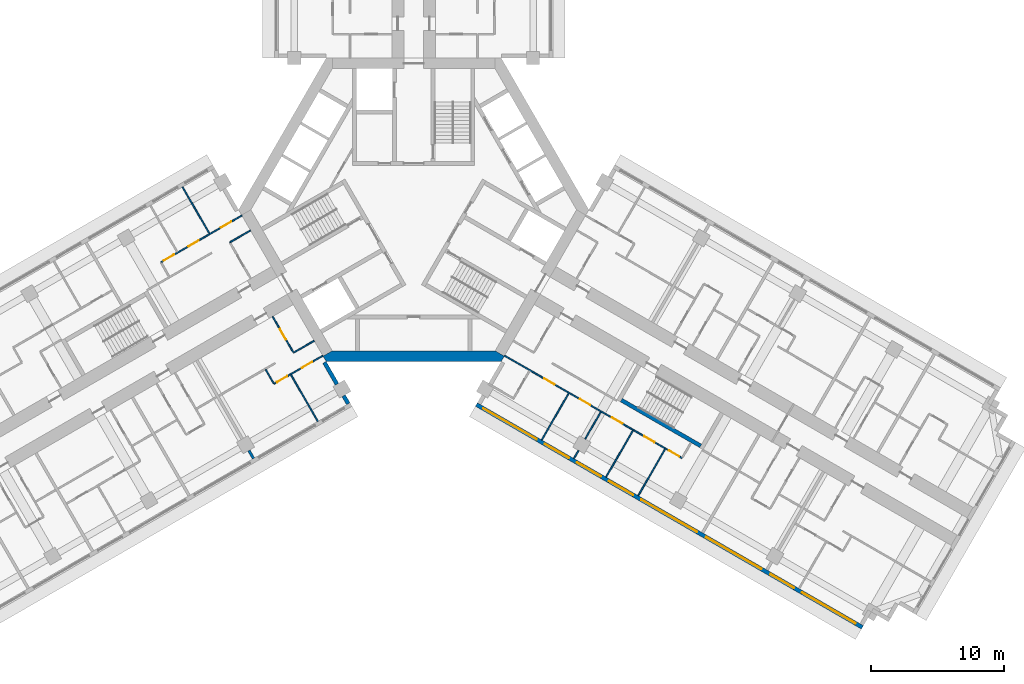
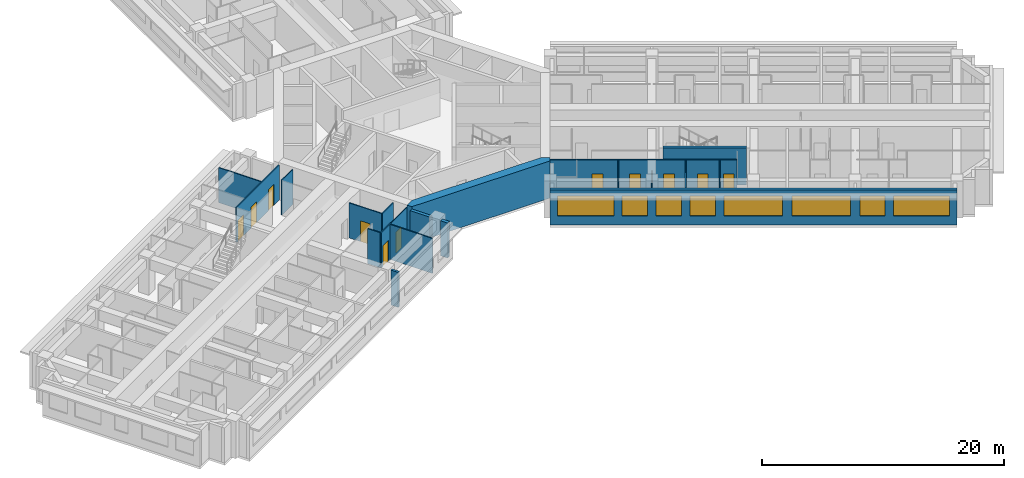
# One storey, part 6 of 15: 20 walls, 11 doors, 8 windows, 19 openings.
"""IFC4 building model written with IfcOpenShell, lengths in metres."""

from ifc_helpers import new_model, si_unit, direction, frame, frame_2d, origin, place, context, subcontext, project, spatial, polyline, rectangle, outline, extrude, material, layer, layer_set, type_object, element, fill, save


model = new_model("IFC4")

# Units and contexts
model_context = context("Model", 3, precision=1e-05, world=origin(), true_north=direction((0.0, 1.0)))
body_context = subcontext(model_context, "Body", "Model", "MODEL_VIEW")
ifc_project = project(units=[si_unit("LENGTHUNIT", "METRE"), si_unit("AREAUNIT", "SQUARE_METRE"), si_unit("VOLUMEUNIT", "CUBIC_METRE"), si_unit("PLANEANGLEUNIT", "RADIAN"), si_unit("MASSUNIT", "GRAM", prefix="KILO")], contexts=[model_context])

# Site, building, storey
site_placement = place(None, origin())
site = spatial("IfcSite", under=ifc_project, at=site_placement, CompositionType="ELEMENT")
building_placement = place(site_placement, origin())
building = spatial("IfcBuilding", under=site, at=building_placement, Name="Impinga Residences", CompositionType="ELEMENT")
storey_placement = place(building_placement, frame((0.0, 0.0, 113.5)))
storey = spatial("IfcBuildingStorey", under=building, at=storey_placement, Name="L27", CompositionType="ELEMENT", Elevation=113.5)

# Wall, openings, windows
ifc_material_1 = material(Name="Terracotta rainscreen on blockwork", Category="masonry")
ifc_layer_1 = layer(ifc_material_1, 0.300048828125)
ifc_layer_set_1 = layer_set([ifc_layer_1], Name="EW1 external wall, terracotta rainscreen on blockwork 300")
wall_type_1 = type_object("IfcWallType", Name="EW1 external wall, terracotta rainscreen on blockwork 300", PredefinedType="SOLIDWALL", material=ifc_layer_set_1)
wall_1_placement = place(storey_placement, frame((33.823486328125, -31.479248046875, 0.0), z_axis=(0.0, 0.0, 1.0), x_axis=(-0.866024291668, 0.500001926238, 0.0)))
wall_1 = element("IfcWall", 1, at=wall_1_placement, inside=storey, type_object=wall_type_1, Name="External wall EW1 L27", PredefinedType="SOLIDWALL", context=body_context, shape_type="SweptSolid", body=[
    extrude(rectangle(XDim=33.599853515625, YDim=0.300048828125, at=frame_2d((16.7998046875, 0.0))), origin(), (0.0, 0.0, 1.0), 3.530029296875),
])
opening_1_placement = place(wall_1_placement, frame((0.60009765625, 0.0, 0.89990234375)))
opening_1 = element("IfcOpeningElement", 2, at=opening_1_placement, cuts=wall_1, Name="Opening W10", PredefinedType="OPENING", context=body_context, shape_type="SweptSolid", body=[
    extrude(rectangle(XDim=4.64990234375, YDim=2.050048828125, at=frame_2d((2.324951171875, 1.02490234375))), frame((0.0, 0.159912109375, 0.0), z_axis=(0.0, -1.0, 0.0), x_axis=(1.0, 0.0, 0.0)), (0.0, 0.0, 1.0), 0.320068359375),
])
opening_2_placement = place(wall_1_placement, frame((5.949951171875, 0.0, 0.89990234375)))
opening_2 = element("IfcOpeningElement", 3, at=opening_2_placement, cuts=wall_1, Name="Opening W14", PredefinedType="OPENING", context=body_context, shape_type="SweptSolid", body=[
    extrude(rectangle(XDim=2.050048828125, YDim=2.050048828125, at=frame_2d((1.02490234375, 1.02490234375))), frame((0.0, 0.159912109375, 0.0), z_axis=(0.0, -1.0, 0.0), x_axis=(1.0, 0.0, 0.0)), (0.0, 0.0, 1.0), 0.320068359375),
])
opening_3_placement = place(wall_1_placement, frame((8.800048828125, 0.0, 0.89990234375)))
opening_3 = element("IfcOpeningElement", 4, at=opening_3_placement, cuts=wall_1, Name="Opening W8", PredefinedType="OPENING", context=body_context, shape_type="SweptSolid", body=[
    extrude(rectangle(XDim=4.800048828125, YDim=2.050048828125, at=frame_2d((2.39990234375, 1.02490234375))), frame((0.0, 0.159912109375, 0.0), z_axis=(0.0, -1.0, 0.0), x_axis=(1.0, 0.0, 0.0)), (0.0, 0.0, 1.0), 0.320068359375),
])
opening_4_placement = place(wall_1_placement, frame((14.39990234375, 0.0, 0.89990234375)))
opening_4 = element("IfcOpeningElement", 5, at=opening_4_placement, cuts=wall_1, Name="Opening W6", PredefinedType="OPENING", context=body_context, shape_type="SweptSolid", body=[
    extrude(rectangle(XDim=4.85009765625, YDim=2.050048828125, at=frame_2d((2.425048828125, 1.02490234375))), frame((0.0, 0.159912109375, 0.0), z_axis=(0.0, -1.0, 0.0), x_axis=(1.0, 0.0, 0.0)), (0.0, 0.0, 1.0), 0.320068359375),
])
opening_5_placement = place(wall_1_placement, frame((19.949951171875, 0.0, 0.89990234375)))
opening_5 = element("IfcOpeningElement", 6, at=opening_5_placement, cuts=wall_1, Name="Opening W9", PredefinedType="OPENING", context=body_context, shape_type="SweptSolid", body=[
    extrude(rectangle(XDim=2.10009765625, YDim=2.050048828125, at=frame_2d((1.050048828125, 1.02490234375))), frame((0.0, 0.159912109375, 0.0), z_axis=(0.0, -1.0, 0.0), x_axis=(1.0, 0.0, 0.0)), (0.0, 0.0, 1.0), 0.320068359375),
])
opening_6_placement = place(wall_1_placement, frame((22.75, 0.0, 0.89990234375)))
opening_6 = element("IfcOpeningElement", 7, at=opening_6_placement, cuts=wall_1, Name="Opening W9", PredefinedType="OPENING", context=body_context, shape_type="SweptSolid", body=[
    extrude(rectangle(XDim=2.10009765625, YDim=2.050048828125, at=frame_2d((1.050048828125, 1.02490234375))), frame((0.0, 0.159912109375, 0.0), z_axis=(0.0, -1.0, 0.0), x_axis=(1.0, 0.0, 0.0)), (0.0, 0.0, 1.0), 0.320068359375),
])
opening_7_placement = place(wall_1_placement, frame((25.550048828125, 0.0, 0.89990234375)))
opening_7 = element("IfcOpeningElement", 8, at=opening_7_placement, cuts=wall_1, Name="Opening W9", PredefinedType="OPENING", context=body_context, shape_type="SweptSolid", body=[
    extrude(rectangle(XDim=2.10009765625, YDim=2.050048828125, at=frame_2d((1.050048828125, 1.02490234375))), frame((0.0, 0.159912109375, 0.0), z_axis=(0.0, -1.0, 0.0), x_axis=(1.0, 0.0, 0.0)), (0.0, 0.0, 1.0), 0.320068359375),
])
opening_8_placement = place(wall_1_placement, frame((28.35009765625, 0.0, 0.89990234375)))
opening_8 = element("IfcOpeningElement", 9, at=opening_8_placement, cuts=wall_1, Name="Opening W10", PredefinedType="OPENING", context=body_context, shape_type="SweptSolid", body=[
    extrude(rectangle(XDim=4.64990234375, YDim=2.050048828125, at=frame_2d((2.324951171875, 1.02490234375))), frame((0.0, 0.159912109375, 0.0), z_axis=(0.0, -1.0, 0.0), x_axis=(1.0, 0.0, 0.0)), (0.0, 0.0, 1.0), 0.320068359375),
])
ifc_material_2 = material(Name="Aluminium window, clear double glazing", Category="aluminium")
window_type_1 = type_object("IfcWindowType", Name="W10 ribbon window 4650x2050", PartitioningType="SINGLE_PANEL", PredefinedType="WINDOW", material=ifc_material_2)
window_1_placement = place(opening_1_placement, origin())
window_1 = element("IfcWindow", 10, at=window_1_placement, inside=storey, type_object=window_type_1, Name="Window L27", OverallHeight=2.050048828125, OverallWidth=4.64990234375, PartitioningType="SINGLE_PANEL", PredefinedType="WINDOW", context=body_context, shape_type="SweptSolid", body=[
    extrude(rectangle(XDim=4.64990234375, YDim=2.050048828125, at=frame_2d((2.324951171875, 1.02490234375))), frame((0.0, 0.030029296875, 0.0), z_axis=(0.0, -1.0, 0.0), x_axis=(1.0, 0.0, 0.0)), (0.0, 0.0, 1.0), 0.06005859375),
])
fill(opening_1, window_1)
window_2_placement = place(opening_8_placement, origin())
window_2 = element("IfcWindow", 11, at=window_2_placement, inside=storey, type_object=window_type_1, Name="Window L27", OverallHeight=2.050048828125, OverallWidth=4.64990234375, PartitioningType="SINGLE_PANEL", PredefinedType="WINDOW", context=body_context, shape_type="SweptSolid", body=[
    extrude(rectangle(XDim=4.64990234375, YDim=2.050048828125, at=frame_2d((2.324951171875, 1.02490234375))), frame((0.0, 0.030029296875, 0.0), z_axis=(0.0, -1.0, 0.0), x_axis=(1.0, 0.0, 0.0)), (0.0, 0.0, 1.0), 0.06005859375),
])
fill(opening_8, window_2)
window_type_2 = type_object("IfcWindowType", Name="W14 ribbon window 2050x2050", PartitioningType="SINGLE_PANEL", PredefinedType="WINDOW", material=ifc_material_2)
window_3_placement = place(opening_2_placement, origin())
window_3 = element("IfcWindow", 12, at=window_3_placement, inside=storey, type_object=window_type_2, Name="Window L27", OverallHeight=2.050048828125, OverallWidth=2.050048828125, PartitioningType="SINGLE_PANEL", PredefinedType="WINDOW", context=body_context, shape_type="SweptSolid", body=[
    extrude(rectangle(XDim=2.050048828125, YDim=2.050048828125, at=frame_2d((1.02490234375, 1.02490234375))), frame((0.0, 0.030029296875, 0.0), z_axis=(0.0, -1.0, 0.0), x_axis=(1.0, 0.0, 0.0)), (0.0, 0.0, 1.0), 0.06005859375),
])
fill(opening_2, window_3)
window_type_3 = type_object("IfcWindowType", Name="W6 ribbon window 4850x2050", PartitioningType="SINGLE_PANEL", PredefinedType="WINDOW", material=ifc_material_2)
window_4_placement = place(opening_4_placement, origin())
window_4 = element("IfcWindow", 13, at=window_4_placement, inside=storey, type_object=window_type_3, Name="Window L27", OverallHeight=2.050048828125, OverallWidth=4.85009765625, PartitioningType="SINGLE_PANEL", PredefinedType="WINDOW", context=body_context, shape_type="SweptSolid", body=[
    extrude(rectangle(XDim=4.85009765625, YDim=2.050048828125, at=frame_2d((2.425048828125, 1.02490234375))), frame((0.0, 0.030029296875, 0.0), z_axis=(0.0, -1.0, 0.0), x_axis=(1.0, 0.0, 0.0)), (0.0, 0.0, 1.0), 0.06005859375),
])
fill(opening_4, window_4)
window_type_4 = type_object("IfcWindowType", Name="W8 ribbon window 4800x2050", PartitioningType="SINGLE_PANEL", PredefinedType="WINDOW", material=ifc_material_2)
window_5_placement = place(opening_3_placement, origin())
window_5 = element("IfcWindow", 14, at=window_5_placement, inside=storey, type_object=window_type_4, Name="Window L27", OverallHeight=2.050048828125, OverallWidth=4.800048828125, PartitioningType="SINGLE_PANEL", PredefinedType="WINDOW", context=body_context, shape_type="SweptSolid", body=[
    extrude(rectangle(XDim=4.800048828125, YDim=2.050048828125, at=frame_2d((2.39990234375, 1.02490234375))), frame((0.0, 0.030029296875, 0.0), z_axis=(0.0, -1.0, 0.0), x_axis=(1.0, 0.0, 0.0)), (0.0, 0.0, 1.0), 0.06005859375),
])
fill(opening_3, window_5)
window_type_5 = type_object("IfcWindowType", Name="W9 ribbon window 2100x2050", PartitioningType="SINGLE_PANEL", PredefinedType="WINDOW", material=ifc_material_2)
window_6_placement = place(opening_5_placement, origin())
window_6 = element("IfcWindow", 15, at=window_6_placement, inside=storey, type_object=window_type_5, Name="Window L27", OverallHeight=2.050048828125, OverallWidth=2.10009765625, PartitioningType="SINGLE_PANEL", PredefinedType="WINDOW", context=body_context, shape_type="SweptSolid", body=[
    extrude(rectangle(XDim=2.10009765625, YDim=2.050048828125, at=frame_2d((1.050048828125, 1.02490234375))), frame((0.0, 0.030029296875, 0.0), z_axis=(0.0, -1.0, 0.0), x_axis=(1.0, 0.0, 0.0)), (0.0, 0.0, 1.0), 0.06005859375),
])
fill(opening_5, window_6)
window_7_placement = place(opening_6_placement, origin())
window_7 = element("IfcWindow", 16, at=window_7_placement, inside=storey, type_object=window_type_5, Name="Window L27", OverallHeight=2.050048828125, OverallWidth=2.10009765625, PartitioningType="SINGLE_PANEL", PredefinedType="WINDOW", context=body_context, shape_type="SweptSolid", body=[
    extrude(rectangle(XDim=2.10009765625, YDim=2.050048828125, at=frame_2d((1.050048828125, 1.02490234375))), frame((0.0, 0.030029296875, 0.0), z_axis=(0.0, -1.0, 0.0), x_axis=(1.0, 0.0, 0.0)), (0.0, 0.0, 1.0), 0.06005859375),
])
fill(opening_6, window_7)
window_8_placement = place(opening_7_placement, origin())
window_8 = element("IfcWindow", 17, at=window_8_placement, inside=storey, type_object=window_type_5, Name="Window L27", OverallHeight=2.050048828125, OverallWidth=2.10009765625, PartitioningType="SINGLE_PANEL", PredefinedType="WINDOW", context=body_context, shape_type="SweptSolid", body=[
    extrude(rectangle(XDim=2.10009765625, YDim=2.050048828125, at=frame_2d((1.050048828125, 1.02490234375))), frame((0.0, 0.030029296875, 0.0), z_axis=(0.0, -1.0, 0.0), x_axis=(1.0, 0.0, 0.0)), (0.0, 0.0, 1.0), 0.06005859375),
])
fill(opening_7, window_8)

# Walls
wall_2_placement = place(storey_placement, frame((-6.72998046875, -11.506591796875, 0.0), z_axis=(0.0, 0.0, 1.0), x_axis=(0.500063520245, -0.865988727248, 0.0)))
element("IfcWall", 18, at=wall_2_placement, inside=storey, type_object=wall_type_1, Name="External wall EW1 L27", PredefinedType="SOLIDWALL", context=body_context, shape_type="SweptSolid", body=[
    extrude(rectangle(XDim=1.900146484375, YDim=0.300048828125, at=frame_2d((0.9501953125, 0.0))), origin(), (0.0, 0.0, 1.0), 3.530029296875),
])
wall_3_placement = place(storey_placement, frame((-5.27978515625, -14.01806640625, 0.0), z_axis=(0.0, 0.0, 1.0), x_axis=(0.499853302173, -0.866110083249, 0.0)))
element("IfcWall", 19, at=wall_3_placement, inside=storey, type_object=wall_type_1, Name="External wall EW1 L27", PredefinedType="SOLIDWALL", context=body_context, shape_type="SweptSolid", body=[
    extrude(rectangle(XDim=0.699951171875, YDim=0.300048828125, at=frame_2d((0.35009765625, 0.0))), origin(), (0.0, 0.0, 1.0), 3.530029296875),
])
ifc_material_3 = material(Name="Gypsum board on steel studs", Category="steel")
ifc_layer_2 = layer(ifc_material_3, 0.10009765625)
ifc_layer_set_2 = layer_set([ifc_layer_2], Name="Gypsum board on steel studs")
wall_type_2 = type_object("IfcWallType", Name="IP1 partition 100", PredefinedType="PARTITIONING", material=ifc_layer_set_2)
wall_4_placement = place(storey_placement, frame((-7.5, -9.872802734375, 0.0), z_axis=(0.0, 0.0, 1.0), x_axis=(-0.866047807691, -0.499961193289, 0.0)))
element("IfcWall", 20, at=wall_4_placement, inside=storey, type_object=wall_type_2, Name="Partition L27-WA1:DIV0", PredefinedType="PARTITIONING", context=body_context, shape_type="SweptSolid", body=[
    extrude(rectangle(XDim=1.800048828125, YDim=0.10009765625, at=frame_2d((0.89990234375, 0.0))), origin(), (0.0, 0.0, 1.0), 3.530029296875),
])

# Wall, openings, doors
wall_5_placement = place(storey_placement, frame((-6.85009765625, -10.99853515625, 0.0), z_axis=(0.0, 0.0, 1.0), x_axis=(-0.866014341725, -0.50001915956, 0.0)))
wall_5 = element("IfcWall", 21, at=wall_5_placement, inside=storey, type_object=wall_type_2, Name="Partition L27-WA1:STRIP", PredefinedType="PARTITIONING", context=body_context, shape_type="SweptSolid", body=[
    extrude(rectangle(XDim=4.249755859375, YDim=0.10009765625, at=frame_2d((2.125, 0.0))), origin(), (0.0, 0.0, 1.0), 3.530029296875),
])
opening_9_placement = place(wall_5_placement, frame((0.925048828125, 0.0, 0.0)))
opening_9 = element("IfcOpeningElement", 22, at=opening_9_placement, cuts=wall_5, Name="Opening D2", PredefinedType="OPENING", context=body_context, shape_type="SweptSolid", body=[
    extrude(rectangle(XDim=0.89990234375, YDim=2.10009765625, at=frame_2d((0.449951171875, 1.050048828125))), frame((0.0, 0.06005859375, 0.0), z_axis=(0.0, -1.0, 0.0), x_axis=(1.0, 0.0, 0.0)), (0.0, 0.0, 1.0), 0.1201171875),
])
opening_10_placement = place(wall_5_placement, frame((3.10009765625, 0.0, 0.0)))
opening_10 = element("IfcOpeningElement", 23, at=opening_10_placement, cuts=wall_5, Name="Opening D2", PredefinedType="OPENING", context=body_context, shape_type="SweptSolid", body=[
    extrude(rectangle(XDim=0.89990234375, YDim=2.10009765625, at=frame_2d((0.449951171875, 1.050048828125))), frame((0.0, 0.06005859375, 0.0), z_axis=(0.0, -1.0, 0.0), x_axis=(1.0, 0.0, 0.0)), (0.0, 0.0, 1.0), 0.1201171875),
])
ifc_material_4 = material(Name="Timber door set", Category="wood")
door_type = type_object("IfcDoorType", Name="D2 internal door 900x2100", OperationType="SINGLE_SWING_LEFT", PredefinedType="DOOR", material=ifc_material_4)
door_1_placement = place(opening_9_placement, origin())
door_1 = element("IfcDoor", 24, at=door_1_placement, inside=storey, type_object=door_type, Name="Apartment L27-WA1 room door", OperationType="SINGLE_SWING_LEFT", OverallHeight=2.10009765625, OverallWidth=0.89990234375, PredefinedType="DOOR", context=body_context, shape_type="SweptSolid", body=[
    extrude(rectangle(XDim=0.89990234375, YDim=2.10009765625, at=frame_2d((0.449951171875, 1.050048828125))), frame((0.0, 0.02490234375, 0.0), z_axis=(0.0, -1.0, 0.0), x_axis=(1.0, 0.0, 0.0)), (0.0, 0.0, 1.0), 0.050048828125),
])
fill(opening_9, door_1)
door_2_placement = place(opening_10_placement, origin())
door_2 = element("IfcDoor", 25, at=door_2_placement, inside=storey, type_object=door_type, Name="Apartment L27-WA1 room door", OperationType="SINGLE_SWING_RIGHT", OverallHeight=2.10009765625, OverallWidth=0.89990234375, PredefinedType="DOOR", context=body_context, shape_type="SweptSolid", body=[
    extrude(rectangle(XDim=0.89990234375, YDim=2.10009765625, at=frame_2d((0.449951171875, 1.050048828125))), frame((0.0, 0.02490234375, 0.0), z_axis=(0.0, -1.0, 0.0), x_axis=(1.0, 0.0, 0.0)), (0.0, 0.0, 1.0), 0.050048828125),
])
fill(opening_10, door_2)

# Wall
wall_6_placement = place(storey_placement, frame((-11.155517578125, -12.041015625, 0.0), z_axis=(0.0, 0.0, 1.0), x_axis=(0.499880961361, -0.866094119867, 0.0)))
element("IfcWall", 26, at=wall_6_placement, inside=storey, type_object=wall_type_2, Name="Partition L27-WA1:SE1", PredefinedType="PARTITIONING", context=body_context, shape_type="SweptSolid", body=[
    extrude(rectangle(XDim=1.199951171875, YDim=0.10009765625, at=frame_2d((0.60009765625, 0.0))), origin(), (0.0, 0.0, 1.0), 3.530029296875),
])

# Wall, opening, door
wall_7_placement = place(storey_placement, frame((-10.6337890625, -8.044677734375, 0.0), z_axis=(0.0, 0.0, 1.0), x_axis=(0.49999285859, -0.86602952684, 0.0)))
wall_7 = element("IfcWall", 27, at=wall_7_placement, inside=storey, type_object=wall_type_2, Name="Partition L27-WA1:IB1", PredefinedType="PARTITIONING", context=body_context, shape_type="SweptSolid", body=[
    extrude(rectangle(XDim=3.10009765625, YDim=0.10009765625, at=frame_2d((1.550048828125, 0.0))), origin(), (0.0, 0.0, 1.0), 3.530029296875),
])
opening_11_placement = place(wall_7_placement, frame((1.10009765625, 0.0, 0.0)))
opening_11 = element("IfcOpeningElement", 28, at=opening_11_placement, cuts=wall_7, Name="Opening D2", PredefinedType="OPENING", context=body_context, shape_type="SweptSolid", body=[
    extrude(rectangle(XDim=0.89990234375, YDim=2.10009765625, at=frame_2d((0.449951171875, 1.050048828125))), frame((0.0, 0.06005859375, 0.0), z_axis=(0.0, -1.0, 0.0), x_axis=(1.0, 0.0, 0.0)), (0.0, 0.0, 1.0), 0.1201171875),
])
door_3_placement = place(opening_11_placement, origin())
door_3 = element("IfcDoor", 29, at=door_3_placement, inside=storey, type_object=door_type, Name="Apartment L27-WA1 bathroom door", OperationType="SINGLE_SWING_LEFT", OverallHeight=2.10009765625, OverallWidth=0.89990234375, PredefinedType="DOOR", context=body_context, shape_type="SweptSolid", body=[
    extrude(rectangle(XDim=0.89990234375, YDim=2.10009765625, at=frame_2d((0.449951171875, 1.050048828125))), frame((0.0, 0.02490234375, 0.0), z_axis=(0.0, -1.0, 0.0), x_axis=(1.0, 0.0, 0.0)), (0.0, 0.0, 1.0), 0.050048828125),
])
fill(opening_11, door_3)

# Walls
wall_8_placement = place(storey_placement, frame((-9.249755859375, -12.44189453125, 0.0), z_axis=(0.0, 0.0, 1.0), x_axis=(0.499990325971, -0.866030989016, 0.0)))
element("IfcWall", 30, at=wall_8_placement, inside=storey, type_object=wall_type_2, Name="Partition L27-WA1:OB1", PredefinedType="PARTITIONING", context=body_context, shape_type="SweptSolid", body=[
    extrude(rectangle(XDim=4.0498046875, YDim=0.10009765625, at=frame_2d((2.02490234375, 0.0))), origin(), (0.0, 0.0, 1.0), 3.530029296875),
])
wall_9_placement = place(storey_placement, frame((-12.300048828125, -1.558837890625, 0.0), z_axis=(0.0, 0.0, 1.0), x_axis=(-0.866047807691, -0.499961193289, 0.0)))
element("IfcWall", 31, at=wall_9_placement, inside=storey, type_object=wall_type_2, Name="Partition L27-WF1:DIV0", PredefinedType="PARTITIONING", context=body_context, shape_type="SweptSolid", body=[
    extrude(rectangle(XDim=1.800048828125, YDim=0.10009765625, at=frame_2d((0.89990234375, 0.0))), origin(), (0.0, 0.0, 1.0), 3.530029296875),
])

# Wall, openings, doors
wall_10_placement = place(storey_placement, frame((-12.949951171875, -0.43310546875, 0.0), z_axis=(0.0, 0.0, 1.0), x_axis=(-0.866031034943, -0.499990246421, 0.0)))
wall_10 = element("IfcWall", 32, at=wall_10_placement, inside=storey, type_object=wall_type_2, Name="Partition L27-WF1:STRIP", PredefinedType="PARTITIONING", context=body_context, shape_type="SweptSolid", body=[
    extrude(rectangle(XDim=7.050048828125, YDim=0.10009765625, at=frame_2d((3.52490234375, 0.0))), origin(), (0.0, 0.0, 1.0), 3.530029296875),
])
opening_12_placement = place(wall_10_placement, frame((0.925048828125, 0.0, 0.0)))
opening_12 = element("IfcOpeningElement", 33, at=opening_12_placement, cuts=wall_10, Name="Opening D2", PredefinedType="OPENING", context=body_context, shape_type="SweptSolid", body=[
    extrude(rectangle(XDim=0.89990234375, YDim=2.10009765625, at=frame_2d((0.449951171875, 1.050048828125))), frame((0.0, 0.06005859375, 0.0), z_axis=(0.0, -1.0, 0.0), x_axis=(1.0, 0.0, 0.0)), (0.0, 0.0, 1.0), 0.1201171875),
])
opening_13_placement = place(wall_10_placement, frame((3.75, 0.0, 0.0)))
opening_13 = element("IfcOpeningElement", 34, at=opening_13_placement, cuts=wall_10, Name="Opening D2", PredefinedType="OPENING", context=body_context, shape_type="SweptSolid", body=[
    extrude(rectangle(XDim=0.89990234375, YDim=2.10009765625, at=frame_2d((0.449951171875, 1.050048828125))), frame((0.0, 0.06005859375, 0.0), z_axis=(0.0, -1.0, 0.0), x_axis=(1.0, 0.0, 0.0)), (0.0, 0.0, 1.0), 0.1201171875),
])
opening_14_placement = place(wall_10_placement, frame((5.89990234375, 0.0, 0.0)))
opening_14 = element("IfcOpeningElement", 35, at=opening_14_placement, cuts=wall_10, Name="Opening D2", PredefinedType="OPENING", context=body_context, shape_type="SweptSolid", body=[
    extrude(rectangle(XDim=0.89990234375, YDim=2.10009765625, at=frame_2d((0.449951171875, 1.050048828125))), frame((0.0, 0.06005859375, 0.0), z_axis=(0.0, -1.0, 0.0), x_axis=(1.0, 0.0, 0.0)), (0.0, 0.0, 1.0), 0.1201171875),
])
door_4_placement = place(opening_12_placement, origin())
door_4 = element("IfcDoor", 36, at=door_4_placement, inside=storey, type_object=door_type, Name="Apartment L27-WF1 room door", OperationType="SINGLE_SWING_LEFT", OverallHeight=2.10009765625, OverallWidth=0.89990234375, PredefinedType="DOOR", context=body_context, shape_type="SweptSolid", body=[
    extrude(rectangle(XDim=0.89990234375, YDim=2.10009765625, at=frame_2d((0.449951171875, 1.050048828125))), frame((0.0, 0.02490234375, 0.0), z_axis=(0.0, -1.0, 0.0), x_axis=(1.0, 0.0, 0.0)), (0.0, 0.0, 1.0), 0.050048828125),
])
fill(opening_12, door_4)
door_5_placement = place(opening_13_placement, origin())
door_5 = element("IfcDoor", 37, at=door_5_placement, inside=storey, type_object=door_type, Name="Apartment L27-WF1 room door", OperationType="SINGLE_SWING_RIGHT", OverallHeight=2.10009765625, OverallWidth=0.89990234375, PredefinedType="DOOR", context=body_context, shape_type="SweptSolid", body=[
    extrude(rectangle(XDim=0.89990234375, YDim=2.10009765625, at=frame_2d((0.449951171875, 1.050048828125))), frame((0.0, 0.02490234375, 0.0), z_axis=(0.0, -1.0, 0.0), x_axis=(1.0, 0.0, 0.0)), (0.0, 0.0, 1.0), 0.050048828125),
])
fill(opening_13, door_5)
door_6_placement = place(opening_14_placement, origin())
door_6 = element("IfcDoor", 38, at=door_6_placement, inside=storey, type_object=door_type, Name="Apartment L27-WF1 room door", OperationType="SINGLE_SWING_RIGHT", OverallHeight=2.10009765625, OverallWidth=0.89990234375, PredefinedType="DOOR", context=body_context, shape_type="SweptSolid", body=[
    extrude(rectangle(XDim=0.89990234375, YDim=2.10009765625, at=frame_2d((0.449951171875, 1.050048828125))), frame((0.0, 0.02490234375, 0.0), z_axis=(0.0, -1.0, 0.0), x_axis=(1.0, 0.0, 0.0)), (0.0, 0.0, 1.0), 0.050048828125),
])
fill(opening_14, door_6)

# Wall
wall_11_placement = place(storey_placement, frame((-15.39990234375, -1.789794921875, 0.0), z_axis=(0.0, 0.0, 1.0), x_axis=(-0.499964223975, 0.866046058097, 0.0)))
element("IfcWall", 39, at=wall_11_placement, inside=storey, type_object=wall_type_2, Name="Partition L27-WF1:OB1", PredefinedType="PARTITIONING", context=body_context, shape_type="SweptSolid", body=[
    extrude(rectangle(XDim=4.050048828125, YDim=0.10009765625, at=frame_2d((2.02490234375, 0.0))), origin(), (0.0, 0.0, 1.0), 3.530029296875),
])

# Wall, openings, doors
wall_12_placement = place(storey_placement, frame((6.85009765625, -10.99853515625, 0.0), z_axis=(0.0, 0.0, 1.0), x_axis=(0.866019273868, -0.500010617176, 0.0)))
wall_12 = element("IfcWall", 40, at=wall_12_placement, inside=storey, type_object=wall_type_2, Name="Partition L27-EF1:STRIP", PredefinedType="PARTITIONING", context=body_context, shape_type="SweptSolid", body=[
    extrude(rectangle(XDim=15.449951171875, YDim=0.10009765625, at=frame_2d((7.72509765625, 0.0))), origin(), (0.0, 0.0, 1.0), 3.530029296875),
])
opening_15_placement = place(wall_12_placement, frame((3.449951171875, 0.0, 0.0)))
opening_15 = element("IfcOpeningElement", 41, at=opening_15_placement, cuts=wall_12, Name="Opening D2", PredefinedType="OPENING", context=body_context, shape_type="SweptSolid", body=[
    extrude(rectangle(XDim=0.89990234375, YDim=2.10009765625, at=frame_2d((0.449951171875, 1.050048828125))), frame((0.0, 0.06005859375, 0.0), z_axis=(0.0, -1.0, 0.0), x_axis=(1.0, 0.0, 0.0)), (0.0, 0.0, 1.0), 0.1201171875),
])
opening_16_placement = place(wall_12_placement, frame((6.550048828125, 0.0, 0.0)))
opening_16 = element("IfcOpeningElement", 42, at=opening_16_placement, cuts=wall_12, Name="Opening D2", PredefinedType="OPENING", context=body_context, shape_type="SweptSolid", body=[
    extrude(rectangle(XDim=0.89990234375, YDim=2.10009765625, at=frame_2d((0.449951171875, 1.050048828125))), frame((0.0, 0.06005859375, 0.0), z_axis=(0.0, -1.0, 0.0), x_axis=(1.0, 0.0, 0.0)), (0.0, 0.0, 1.0), 0.1201171875),
])
opening_17_placement = place(wall_12_placement, frame((9.35009765625, 0.0, 0.0)))
opening_17 = element("IfcOpeningElement", 43, at=opening_17_placement, cuts=wall_12, Name="Opening D2", PredefinedType="OPENING", context=body_context, shape_type="SweptSolid", body=[
    extrude(rectangle(XDim=0.89990234375, YDim=2.10009765625, at=frame_2d((0.449951171875, 1.050048828125))), frame((0.0, 0.06005859375, 0.0), z_axis=(0.0, -1.0, 0.0), x_axis=(1.0, 0.0, 0.0)), (0.0, 0.0, 1.0), 0.1201171875),
])
opening_18_placement = place(wall_12_placement, frame((12.14990234375, 0.0, 0.0)))
opening_18 = element("IfcOpeningElement", 44, at=opening_18_placement, cuts=wall_12, Name="Opening D2", PredefinedType="OPENING", context=body_context, shape_type="SweptSolid", body=[
    extrude(rectangle(XDim=0.89990234375, YDim=2.10009765625, at=frame_2d((0.449951171875, 1.050048828125))), frame((0.0, 0.06005859375, 0.0), z_axis=(0.0, -1.0, 0.0), x_axis=(1.0, 0.0, 0.0)), (0.0, 0.0, 1.0), 0.1201171875),
])
opening_19_placement = place(wall_12_placement, frame((14.300048828125, 0.0, 0.0)))
opening_19 = element("IfcOpeningElement", 45, at=opening_19_placement, cuts=wall_12, Name="Opening D2", PredefinedType="OPENING", context=body_context, shape_type="SweptSolid", body=[
    extrude(rectangle(XDim=0.89990234375, YDim=2.10009765625, at=frame_2d((0.449951171875, 1.050048828125))), frame((0.0, 0.06005859375, 0.0), z_axis=(0.0, -1.0, 0.0), x_axis=(1.0, 0.0, 0.0)), (0.0, 0.0, 1.0), 0.1201171875),
])
door_7_placement = place(opening_15_placement, origin())
door_7 = element("IfcDoor", 46, at=door_7_placement, inside=storey, type_object=door_type, Name="Apartment L27-EF1 room door", OperationType="SINGLE_SWING_LEFT", OverallHeight=2.10009765625, OverallWidth=0.89990234375, PredefinedType="DOOR", context=body_context, shape_type="SweptSolid", body=[
    extrude(rectangle(XDim=0.89990234375, YDim=2.10009765625, at=frame_2d((0.449951171875, 1.050048828125))), frame((0.0, 0.02490234375, 0.0), z_axis=(0.0, -1.0, 0.0), x_axis=(1.0, 0.0, 0.0)), (0.0, 0.0, 1.0), 0.050048828125),
])
fill(opening_15, door_7)
door_8_placement = place(opening_16_placement, origin())
door_8 = element("IfcDoor", 47, at=door_8_placement, inside=storey, type_object=door_type, Name="Apartment L27-EF1 room door", OperationType="SINGLE_SWING_LEFT", OverallHeight=2.10009765625, OverallWidth=0.89990234375, PredefinedType="DOOR", context=body_context, shape_type="SweptSolid", body=[
    extrude(rectangle(XDim=0.89990234375, YDim=2.10009765625, at=frame_2d((0.449951171875, 1.050048828125))), frame((0.0, 0.02490234375, 0.0), z_axis=(0.0, -1.0, 0.0), x_axis=(1.0, 0.0, 0.0)), (0.0, 0.0, 1.0), 0.050048828125),
])
fill(opening_16, door_8)
door_9_placement = place(opening_17_placement, origin())
door_9 = element("IfcDoor", 48, at=door_9_placement, inside=storey, type_object=door_type, Name="Apartment L27-EF1 room door", OperationType="SINGLE_SWING_RIGHT", OverallHeight=2.10009765625, OverallWidth=0.89990234375, PredefinedType="DOOR", context=body_context, shape_type="SweptSolid", body=[
    extrude(rectangle(XDim=0.89990234375, YDim=2.10009765625, at=frame_2d((0.449951171875, 1.050048828125))), frame((0.0, 0.02490234375, 0.0), z_axis=(0.0, -1.0, 0.0), x_axis=(1.0, 0.0, 0.0)), (0.0, 0.0, 1.0), 0.050048828125),
])
fill(opening_17, door_9)
door_10_placement = place(opening_18_placement, origin())
door_10 = element("IfcDoor", 49, at=door_10_placement, inside=storey, type_object=door_type, Name="Apartment L27-EF1 room door", OperationType="SINGLE_SWING_RIGHT", OverallHeight=2.10009765625, OverallWidth=0.89990234375, PredefinedType="DOOR", context=body_context, shape_type="SweptSolid", body=[
    extrude(rectangle(XDim=0.89990234375, YDim=2.10009765625, at=frame_2d((0.449951171875, 1.050048828125))), frame((0.0, 0.02490234375, 0.0), z_axis=(0.0, -1.0, 0.0), x_axis=(1.0, 0.0, 0.0)), (0.0, 0.0, 1.0), 0.050048828125),
])
fill(opening_18, door_10)
door_11_placement = place(opening_19_placement, origin())
door_11 = element("IfcDoor", 50, at=door_11_placement, inside=storey, type_object=door_type, Name="Apartment L27-EF1 room door", OperationType="SINGLE_SWING_RIGHT", OverallHeight=2.10009765625, OverallWidth=0.89990234375, PredefinedType="DOOR", context=body_context, shape_type="SweptSolid", body=[
    extrude(rectangle(XDim=0.89990234375, YDim=2.10009765625, at=frame_2d((0.449951171875, 1.050048828125))), frame((0.0, 0.02490234375, 0.0), z_axis=(0.0, -1.0, 0.0), x_axis=(1.0, 0.0, 0.0)), (0.0, 0.0, 1.0), 0.050048828125),
])
fill(opening_19, door_11)

# Walls
wall_13_placement = place(storey_placement, frame((11.6748046875, -13.841796875, 0.0), z_axis=(0.0, 0.0, 1.0), x_axis=(-0.500035537042, -0.866004885491, 0.0)))
element("IfcWall", 51, at=wall_13_placement, inside=storey, type_object=wall_type_2, Name="Partition L27-EF1:OB1", PredefinedType="PARTITIONING", context=body_context, shape_type="SweptSolid", body=[
    extrude(rectangle(XDim=4.050048828125, YDim=0.10009765625, at=frame_2d((2.02490234375, 0.0))), origin(), (0.0, 0.0, 1.0), 3.530029296875),
])
wall_14_placement = place(storey_placement, frame((14.099609375, -15.241943359375, 0.0), z_axis=(0.0, 0.0, 1.0), x_axis=(-0.500016218704, -0.866016039709, 0.0)))
element("IfcWall", 52, at=wall_14_placement, inside=storey, type_object=wall_type_2, Name="Partition L27-EF1:OB2", PredefinedType="PARTITIONING", context=body_context, shape_type="SweptSolid", body=[
    extrude(rectangle(XDim=2.35009765625, YDim=0.10009765625, at=frame_2d((1.175048828125, 0.0))), origin(), (0.0, 0.0, 1.0), 2.47998046875),
])
wall_15_placement = place(storey_placement, frame((12.424560546875, -18.14306640625, 0.0), z_axis=(0.0, 0.0, 1.0), x_axis=(-0.499853302173, -0.866110083249, 0.0)))
element("IfcWall", 53, at=wall_15_placement, inside=storey, type_object=wall_type_2, Name="Partition L27-EF1:OB2b", PredefinedType="PARTITIONING", context=body_context, shape_type="SweptSolid", body=[
    extrude(rectangle(XDim=0.699951171875, YDim=0.10009765625, at=frame_2d((0.35009765625, 0.0))), origin(), (0.0, 0.0, 1.0), 3.530029296875),
])
wall_16_placement = place(storey_placement, frame((16.5244140625, -16.641845703125, 0.0), z_axis=(0.0, 0.0, 1.0), x_axis=(-0.499990325971, -0.866030989016, 0.0)))
element("IfcWall", 54, at=wall_16_placement, inside=storey, type_object=wall_type_2, Name="Partition L27-EF1:OB3", PredefinedType="PARTITIONING", context=body_context, shape_type="SweptSolid", body=[
    extrude(rectangle(XDim=4.0498046875, YDim=0.10009765625, at=frame_2d((2.02490234375, 0.0))), origin(), (0.0, 0.0, 1.0), 3.530029296875),
])
wall_17_placement = place(storey_placement, frame((18.949462890625, -18.041748046875, 0.0), z_axis=(0.0, 0.0, 1.0), x_axis=(-0.50000943426, -0.866019956843, 0.0)))
element("IfcWall", 55, at=wall_17_placement, inside=storey, type_object=wall_type_2, Name="Partition L27-EF1:OB4", PredefinedType="PARTITIONING", context=body_context, shape_type="SweptSolid", body=[
    extrude(rectangle(XDim=4.05029296875, YDim=0.10009765625, at=frame_2d((2.025146484375, 0.0))), origin(), (0.0, 0.0, 1.0), 3.530029296875),
])
ifc_material_5 = material(Name="Concrete blockwork", Category="masonry")
ifc_layer_3 = layer(ifc_material_5, 0.199951171875)
ifc_layer_set_3 = layer_set([ifc_layer_3], Name="PW1 party wall between apartments 200")
wall_type_3 = type_object("IfcWallType", Name="PW1 party wall between apartments 200", PredefinedType="SOLIDWALL", material=ifc_layer_set_3)
wall_18_placement = place(storey_placement, frame((-12.424560546875, -18.14306640625, 0.0), z_axis=(0.0, 0.0, 1.0), x_axis=(0.499853302173, -0.866110083249, 0.0)))
element("IfcWall", 56, at=wall_18_placement, inside=storey, type_object=wall_type_3, Name="Party wall between apartments L27-WA1:PARTYb", PredefinedType="SOLIDWALL", context=body_context, shape_type="SweptSolid", body=[
    extrude(rectangle(XDim=0.699951171875, YDim=0.199951171875, at=frame_2d((0.35009765625, 0.0))), origin(), (0.0, 0.0, 1.0), 3.530029296875),
])
ifc_material_6 = material(Name="Concrete C60/75", Category="concrete")
ifc_layer_4 = layer(ifc_material_6, 0.300048828125)
ifc_layer_set_4 = layer_set([ifc_layer_4], Name="Concrete C60/75")
wall_type_4 = type_object("IfcWallType", Name="SE1 wing stair enclosure wall 300", PredefinedType="SOLIDWALL", material=ifc_layer_set_4)
wall_19_placement = place(storey_placement, frame((15.654052734375, -14.349365234375, 0.0), z_axis=(0.0, 0.0, 1.0), x_axis=(0.866013532718, -0.500020560727, 0.0)))
element("IfcWall", 57, at=wall_19_placement, inside=storey, type_object=wall_type_4, Name="Stair enclosure wall SE1 E OUT L27", PredefinedType="SOLIDWALL", context=body_context, shape_type="SweptSolid", body=[
    extrude(rectangle(XDim=6.900146484375, YDim=0.300048828125, at=frame_2d((3.4501953125, 0.0))), origin(), (0.0, 0.0, 1.0), 3.75),
])
ifc_layer_5 = layer(ifc_material_6, 0.800048828125)
ifc_layer_set_5 = layer_set([ifc_layer_5], Name="Concrete C60/75")
wall_type_5 = type_object("IfcWallType", Name="SW2 core wall 800", PredefinedType="SHEAR", material=ifc_layer_set_5)
wall_20_placement = place(storey_placement, origin())
element("IfcWall", 58, at=wall_20_placement, inside=storey, type_object=wall_type_5, Name="Core wall SW2 N:EXPOSED L27", PredefinedType="SHEAR", context=body_context, shape_type="SweptSolid", body=[
    extrude(outline(polyline([(-6.60009765625, -11.431640625), (6.60009765625, -11.431640625), (6.8310546875, -11.031494140625), (6.13818359375, -10.631591796875), (-6.13818359375, -10.631591796875), (-6.8310546875, -11.031494140625), (-6.60009765625, -11.431640625)])), origin(), (0.0, 0.0, 1.0), 3.75),
])

save(model, "model.ifc")
